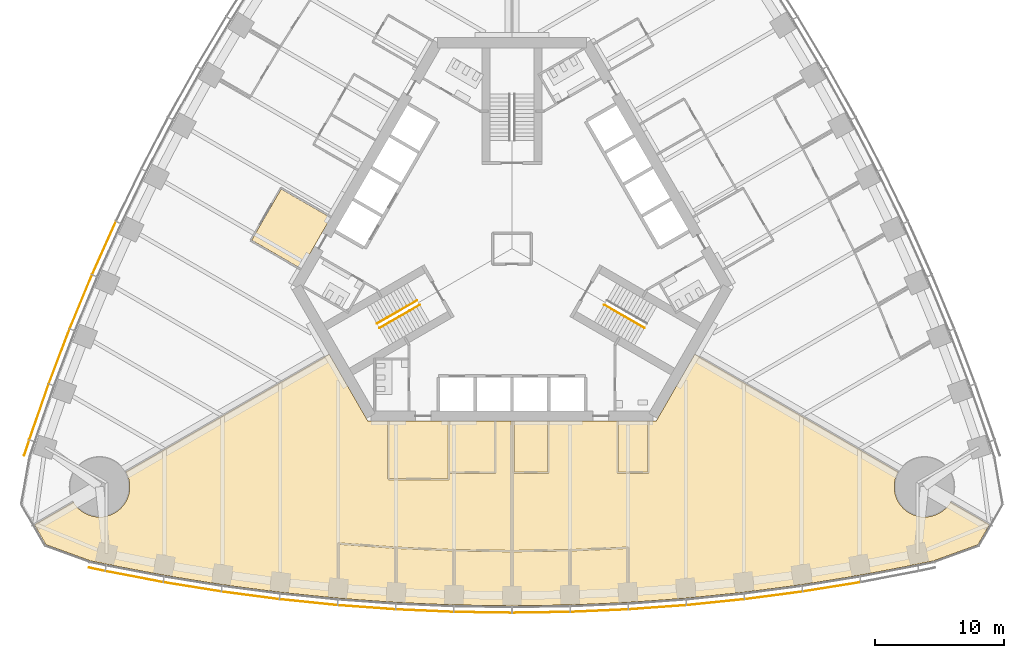
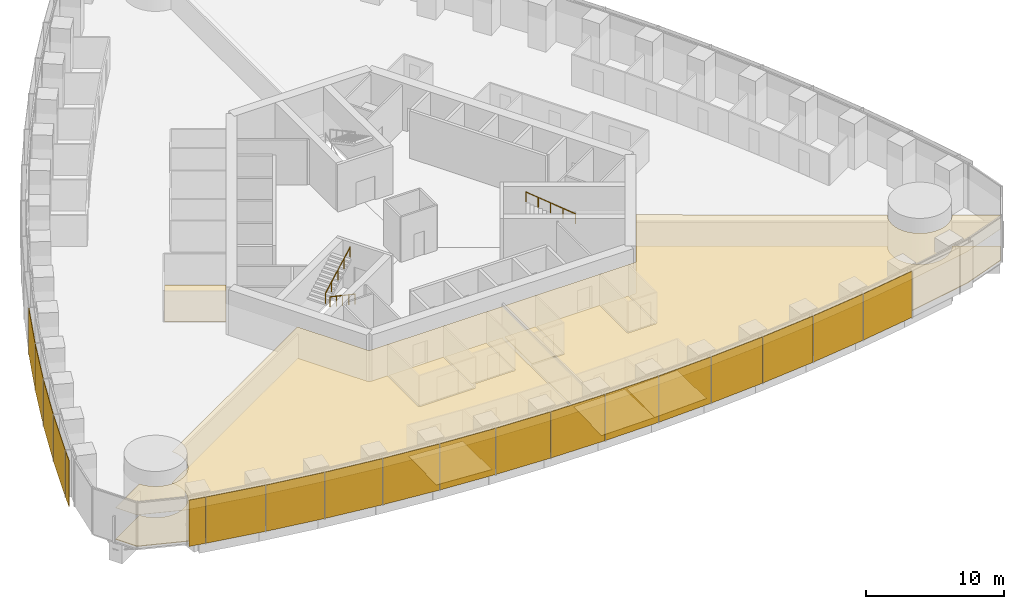
# One storey, part 14 of 18: 19 shading devices, 13 coverings, 3 railings.
"""IFC4 building model written with IfcOpenShell, lengths in metres."""

from ifc_helpers import new_model, si_unit, direction, frame, origin, origin_2d, place, context, subcontext, project, spatial, polyline, rectangle, circle, outline, extrude, material, layer, layer_set, type_object, element, save


model = new_model("IFC4")

# Units and contexts
model_context = context("Model", 3, precision=1e-05, world=origin(), true_north=direction((0.0, 1.0)))
body_context = subcontext(model_context, "Body", "Model", "MODEL_VIEW")
ifc_project = project(units=[si_unit("LENGTHUNIT", "METRE"), si_unit("AREAUNIT", "SQUARE_METRE"), si_unit("VOLUMEUNIT", "CUBIC_METRE"), si_unit("PLANEANGLEUNIT", "RADIAN"), si_unit("MASSUNIT", "GRAM", prefix="KILO")], contexts=[model_context])

# Site, building, storey
site_placement = place(None, origin())
site = spatial("IfcSite", under=ifc_project, at=site_placement, CompositionType="ELEMENT")
building_placement = place(site_placement, origin())
building = spatial("IfcBuilding", under=site, at=building_placement, Name="Trefoil Bronze Tower", CompositionType="ELEMENT")
storey_placement = place(building_placement, frame((0.0, 0.0, 29.10009765625)))
storey = spatial("IfcBuildingStorey", under=building, at=storey_placement, Name="L06", CompositionType="ELEMENT", Elevation=29.10009765625)

# Shading devices
ifc_material_1 = material(Name="Perforated bronze sheet", Category="bronze")
ifc_layer_1 = layer(ifc_material_1, 0.0400390625)
ifc_layer_set_1 = layer_set([ifc_layer_1], Name="Bronze solar screen panel")
shading_device_type = type_object("IfcShadingDeviceType", Name="Bronze solar screen panel", PredefinedType="SHUTTER", material=ifc_layer_set_1)
shading_device_1_placement = place(storey_placement, frame((-32.2431640625, -24.91064453125, 0.0498046875), z_axis=(0.0, 0.0, 1.0), x_axis=(0.978302717041, -0.207180582657, 0.0)))
element("IfcShadingDevice", 1, at=shading_device_1_placement, inside=storey, type_object=shading_device_type, Name="Solar screen CW-A L06 F1 bay 1", PredefinedType="SHUTTER", context=body_context, shape_type="SweptSolid", body=[
    extrude(rectangle(XDim=1.260498046875, YDim=0.0400390625, at=origin_2d()), origin(), (0.0, 0.0, 1.0), 4.10009765625),
])
shading_device_2_placement = place(storey_placement, frame((-29.351806640625, -25.478515625, 0.0498046875), z_axis=(0.0, 0.0, 1.0), x_axis=(0.982049823817, -0.188621694249, 0.0)))
element("IfcShadingDevice", 2, at=shading_device_2_placement, inside=storey, type_object=shading_device_type, Name="Solar screen CW-A L06 F1 bay 2", PredefinedType="SHUTTER", context=body_context, shape_type="SweptSolid", body=[
    extrude(rectangle(XDim=4.55224609375, YDim=0.0400390625, at=origin_2d()), origin(), (0.0, 0.0, 1.0), 4.10009765625),
])
shading_device_3_placement = place(storey_placement, frame((-24.836181640625, -26.277099609375, 0.0498046875), z_axis=(0.0, 0.0, 1.0), x_axis=(0.987181315145, -0.159602791421, 0.0)))
element("IfcShadingDevice", 3, at=shading_device_3_placement, inside=storey, type_object=shading_device_type, Name="Solar screen CW-A L06 F1 bay 3", PredefinedType="SHUTTER", context=body_context, shape_type="SweptSolid", body=[
    extrude(rectangle(XDim=4.5283203125, YDim=0.0400390625, at=origin_2d()), origin(), (0.0, 0.0, 1.0), 4.10009765625),
])
shading_device_4_placement = place(storey_placement, frame((-20.320556640625, -26.939697265625, 0.0498046875), z_axis=(0.0, 0.0, 1.0), x_axis=(0.991437251591, -0.130583981243, 0.0)))
element("IfcShadingDevice", 4, at=shading_device_4_placement, inside=storey, type_object=shading_device_type, Name="Solar screen CW-A L06 F1 bay 4", PredefinedType="SHUTTER", context=body_context, shape_type="SweptSolid", body=[
    extrude(rectangle(XDim=4.5087890625, YDim=0.0400390625, at=origin_2d()), origin(), (0.0, 0.0, 1.0), 4.10009765625),
])
shading_device_5_placement = place(storey_placement, frame((-15.804931640625, -27.467529296875, 0.0498046875), z_axis=(0.0, 0.0, 1.0), x_axis=(0.994828880293, -0.101565244717, 0.0)))
element("IfcShadingDevice", 5, at=shading_device_5_placement, inside=storey, type_object=shading_device_type, Name="Solar screen CW-A L06 F1 bay 5", PredefinedType="SHUTTER", context=body_context, shape_type="SweptSolid", body=[
    extrude(rectangle(XDim=4.493408203125, YDim=0.0400390625, at=origin_2d()), origin(), (0.0, 0.0, 1.0), 4.10009765625),
])
shading_device_6_placement = place(storey_placement, frame((-11.2890625, -27.8623046875, 0.0498046875), z_axis=(0.0, 0.0, 1.0), x_axis=(0.99736502647, -0.072546564177, 0.0)))
element("IfcShadingDevice", 6, at=shading_device_6_placement, inside=storey, type_object=shading_device_type, Name="Solar screen CW-A L06 F1 bay 6", PredefinedType="SHUTTER", context=body_context, shape_type="SweptSolid", body=[
    extrude(rectangle(XDim=4.48193359375, YDim=0.0400390625, at=origin_2d()), origin(), (0.0, 0.0, 1.0), 4.10009765625),
])
shading_device_7_placement = place(storey_placement, frame((-6.7734375, -28.124755859375, 0.0498046875), z_axis=(0.0, 0.0, 1.0), x_axis=(0.999052210809, -0.043527922969, 0.0)))
element("IfcShadingDevice", 7, at=shading_device_7_placement, inside=storey, type_object=shading_device_type, Name="Solar screen CW-A L06 F1 bay 7", PredefinedType="SHUTTER", context=body_context, shape_type="SweptSolid", body=[
    extrude(rectangle(XDim=4.474365234375, YDim=0.0400390625, at=origin_2d()), origin(), (0.0, 0.0, 1.0), 4.10009765625),
])
for number, where, z_axis, x_axis, name in (
    (8, (-2.2578125, -28.256103515625, 0.0498046875), (0.0, 0.0, 1.0), (0.999894734493, -0.014509305083, 0.0), "Solar screen CW-A L06 F1 bay 8"),
    (9, (2.2578125, -28.256103515625, 0.0498046875), (0.0, 0.0, 1.0), (0.999894734493, 0.014509305083, 0.0), "Solar screen CW-A L06 F1 bay 9"),
):
    element("IfcShadingDevice", number, at=place(storey_placement, frame(where, z_axis=z_axis, x_axis=x_axis)), inside=storey, type_object=shading_device_type, Name=name, PredefinedType="SHUTTER", context=body_context, shape_type="SweptSolid", body=[
        extrude(rectangle(XDim=4.470458984375, YDim=0.0400390625, at=origin_2d()), origin(), (0.0, 0.0, 1.0), 4.10009765625),
    ])
shading_device_8_placement = place(storey_placement, frame((6.7734375, -28.124755859375, 0.0498046875), z_axis=(0.0, 0.0, 1.0), x_axis=(0.999052210809, 0.043527922969, 0.0)))
element("IfcShadingDevice", 10, at=shading_device_8_placement, inside=storey, type_object=shading_device_type, Name="Solar screen CW-A L06 F1 bay 10", PredefinedType="SHUTTER", context=body_context, shape_type="SweptSolid", body=[
    extrude(rectangle(XDim=4.474365234375, YDim=0.0400390625, at=origin_2d()), origin(), (0.0, 0.0, 1.0), 4.10009765625),
])
shading_device_9_placement = place(storey_placement, frame((11.2890625, -27.8623046875, 0.0498046875), z_axis=(0.0, 0.0, 1.0), x_axis=(0.99736502647, 0.072546564177, 0.0)))
element("IfcShadingDevice", 11, at=shading_device_9_placement, inside=storey, type_object=shading_device_type, Name="Solar screen CW-A L06 F1 bay 11", PredefinedType="SHUTTER", context=body_context, shape_type="SweptSolid", body=[
    extrude(rectangle(XDim=4.48193359375, YDim=0.0400390625, at=origin_2d()), origin(), (0.0, 0.0, 1.0), 4.10009765625),
])
shading_device_10_placement = place(storey_placement, frame((15.804931640625, -27.467529296875, 0.0498046875), z_axis=(0.0, 0.0, 1.0), x_axis=(0.994828880293, 0.101565244717, 0.0)))
element("IfcShadingDevice", 12, at=shading_device_10_placement, inside=storey, type_object=shading_device_type, Name="Solar screen CW-A L06 F1 bay 12", PredefinedType="SHUTTER", context=body_context, shape_type="SweptSolid", body=[
    extrude(rectangle(XDim=4.493408203125, YDim=0.0400390625, at=origin_2d()), origin(), (0.0, 0.0, 1.0), 4.10009765625),
])
shading_device_11_placement = place(storey_placement, frame((20.320556640625, -26.939697265625, 0.0498046875), z_axis=(0.0, 0.0, 1.0), x_axis=(0.991437251591, 0.130583981243, 0.0)))
element("IfcShadingDevice", 13, at=shading_device_11_placement, inside=storey, type_object=shading_device_type, Name="Solar screen CW-A L06 F1 bay 13", PredefinedType="SHUTTER", context=body_context, shape_type="SweptSolid", body=[
    extrude(rectangle(XDim=4.5087890625, YDim=0.0400390625, at=origin_2d()), origin(), (0.0, 0.0, 1.0), 4.10009765625),
])
shading_device_12_placement = place(storey_placement, frame((24.836181640625, -26.277099609375, 0.0498046875), z_axis=(0.0, 0.0, 1.0), x_axis=(0.987181315145, 0.159602791421, 0.0)))
element("IfcShadingDevice", 14, at=shading_device_12_placement, inside=storey, type_object=shading_device_type, Name="Solar screen CW-A L06 F1 bay 14", PredefinedType="SHUTTER", context=body_context, shape_type="SweptSolid", body=[
    extrude(rectangle(XDim=4.5283203125, YDim=0.0400390625, at=origin_2d()), origin(), (0.0, 0.0, 1.0), 4.10009765625),
])
shading_device_13_placement = place(storey_placement, frame((-31.68994140625, 0.04638671875, 0.0498046875), z_axis=(0.0, 0.0, 1.0), x_axis=(-0.40945635808, -0.912329705111, 0.0)))
element("IfcShadingDevice", 15, at=shading_device_13_placement, inside=storey, type_object=shading_device_type, Name="Solar screen CW-A L06 F3 bay 12", PredefinedType="SHUTTER", context=body_context, shape_type="SweptSolid", body=[
    extrude(rectangle(XDim=4.493408203125, YDim=0.0400390625, at=origin_2d()), origin(), (0.0, 0.0, 1.0), 4.10009765625),
])
shading_device_14_placement = place(storey_placement, frame((-33.49072265625, -4.128173828125, 0.0498046875), z_axis=(0.0, 0.0, 1.0), x_axis=(-0.382629580712, -0.923901836758, 0.0)))
element("IfcShadingDevice", 16, at=shading_device_14_placement, inside=storey, type_object=shading_device_type, Name="Solar screen CW-A L06 F3 bay 13", PredefinedType="SHUTTER", context=body_context, shape_type="SweptSolid", body=[
    extrude(rectangle(XDim=4.5087890625, YDim=0.0400390625, at=origin_2d()), origin(), (0.0, 0.0, 1.0), 4.10009765625),
])
shading_device_15_placement = place(storey_placement, frame((-35.1748046875, -8.3701171875, 0.0498046875), z_axis=(0.0, 0.0, 1.0), x_axis=(-0.355370585687, -0.934725492767, 0.0)))
element("IfcShadingDevice", 17, at=shading_device_15_placement, inside=storey, type_object=shading_device_type, Name="Solar screen CW-A L06 F3 bay 14", PredefinedType="SHUTTER", context=body_context, shape_type="SweptSolid", body=[
    extrude(rectangle(XDim=4.5283203125, YDim=0.0400390625, at=origin_2d()), origin(), (0.0, 0.0, 1.0), 4.10009765625),
])
shading_device_16_placement = place(storey_placement, frame((-36.740966796875, -12.68017578125, 0.0498046875), z_axis=(0.0, 0.0, 1.0), x_axis=(-0.327673732984, -0.944790942332, 0.0)))
element("IfcShadingDevice", 18, at=shading_device_16_placement, inside=storey, type_object=shading_device_type, Name="Solar screen CW-A L06 F3 bay 15", PredefinedType="SHUTTER", context=body_context, shape_type="SweptSolid", body=[
    extrude(rectangle(XDim=4.55224609375, YDim=0.0400390625, at=origin_2d()), origin(), (0.0, 0.0, 1.0), 4.10009765625),
])
shading_device_17_placement = place(storey_placement, frame((-37.69482421875, -15.468017578125, 0.0498046875), z_axis=(0.0, 0.0, 1.0), x_axis=(-0.309727710769, -0.950825296877, 0.0)))
element("IfcShadingDevice", 19, at=shading_device_17_placement, inside=storey, type_object=shading_device_type, Name="Solar screen CW-A L06 F3 bay 16", PredefinedType="SHUTTER", context=body_context, shape_type="SweptSolid", body=[
    extrude(rectangle(XDim=1.260498046875, YDim=0.0400390625, at=origin_2d()), origin(), (0.0, 0.0, 1.0), 4.10009765625),
])

# Railings
ifc_material_2 = material(Name="Steel handrail", Category="steel")
railing_type = type_object("IfcRailingType", Name="Handrail 900", PredefinedType="HANDRAIL", material=ifc_material_2)
railing_1_placement = place(storey_placement, frame((10.28369140625, -6.168212890625, 2.261474609375)))
element("IfcRailing", 20, at=railing_1_placement, inside=storey, type_object=railing_type, Name="Handrail ST1 flight 2 L06", PredefinedType="HANDRAIL", context=body_context, shape_type="SweptSolid", body=[
    extrude(circle(Radius=0.02392578125, at=origin_2d()), frame((0.0, 0.0, 0.8759765625), z_axis=(-0.76250339821, 0.440245697338, 0.474101564745), x_axis=(-0.500012057535, -0.866018442252, 0.0)), (0.0, 0.0, 1.0), 4.088623046875),
    extrude(circle(Radius=0.02099609375, at=origin_2d()), origin(), (0.0, 0.0, 1.0), 0.851806640625),
    extrude(circle(Radius=0.02099609375, at=origin_2d()), frame((-0.779296875, 0.449951171875, 0.484619140625)), (0.0, 0.0, 1.0), 0.851806640625),
    extrude(circle(Radius=0.02099609375, at=origin_2d()), frame((-1.558837890625, 0.89990234375, 0.96923828125)), (0.0, 0.0, 1.0), 0.851806640625),
    extrude(circle(Radius=0.02099609375, at=origin_2d()), frame((-2.33837890625, 1.35009765625, 1.453857421875)), (0.0, 0.0, 1.0), 0.851806640625),
    extrude(circle(Radius=0.02099609375, at=origin_2d()), frame((-3.11767578125, 1.800048828125, 1.9384765625)), (0.0, 0.0, 1.0), 0.851806640625),
])
railing_2_placement = place(storey_placement, frame((-7.166015625, -4.3681640625, 0.161376953125)))
element("IfcRailing", 21, at=railing_2_placement, inside=storey, type_object=railing_type, Name="Handrail ST3 flight 1 L06", PredefinedType="HANDRAIL", context=body_context, shape_type="SweptSolid", body=[
    extrude(circle(Radius=0.02392578125, at=origin_2d()), frame((0.0, 0.0, 0.8759765625), z_axis=(-0.76250339821, -0.440245697338, 0.474101564745), x_axis=(0.500012057535, -0.866018442252, 0.0)), (0.0, 0.0, 1.0), 4.088623046875),
    extrude(circle(Radius=0.02099609375, at=origin_2d()), origin(), (0.0, 0.0, 1.0), 0.851806640625),
    extrude(circle(Radius=0.02099609375, at=origin_2d()), frame((-0.779296875, -0.449951171875, 0.484619140625)), (0.0, 0.0, 1.0), 0.851806640625),
    extrude(circle(Radius=0.02099609375, at=origin_2d()), frame((-1.558837890625, -0.89990234375, 0.96923828125)), (0.0, 0.0, 1.0), 0.851806640625),
    extrude(circle(Radius=0.02099609375, at=origin_2d()), frame((-2.33837890625, -1.35009765625, 1.453857421875)), (0.0, 0.0, 1.0), 0.851806640625),
    extrude(circle(Radius=0.02099609375, at=origin_2d()), frame((-3.11767578125, -1.800048828125, 1.9384765625)), (0.0, 0.0, 1.0), 0.851806640625),
])
railing_3_placement = place(storey_placement, frame((-10.483642578125, -5.82177734375, 2.261474609375)))
element("IfcRailing", 22, at=railing_3_placement, inside=storey, type_object=railing_type, Name="Handrail ST3 flight 2 L06", PredefinedType="HANDRAIL", context=body_context, shape_type="SweptSolid", body=[
    extrude(circle(Radius=0.02392578125, at=origin_2d()), frame((0.0, 0.0, 0.8759765625), z_axis=(0.76250339821, 0.440245697338, 0.474101564745), x_axis=(-0.500012057535, 0.866018442252, 0.0)), (0.0, 0.0, 1.0), 4.088623046875),
    extrude(circle(Radius=0.02099609375, at=origin_2d()), origin(), (0.0, 0.0, 1.0), 0.851806640625),
    extrude(circle(Radius=0.02099609375, at=origin_2d()), frame((0.779296875, 0.449951171875, 0.484619140625)), (0.0, 0.0, 1.0), 0.851806640625),
    extrude(circle(Radius=0.02099609375, at=origin_2d()), frame((1.558837890625, 0.89990234375, 0.96923828125)), (0.0, 0.0, 1.0), 0.851806640625),
    extrude(circle(Radius=0.02099609375, at=origin_2d()), frame((2.33837890625, 1.35009765625, 1.453857421875)), (0.0, 0.0, 1.0), 0.851806640625),
    extrude(circle(Radius=0.02099609375, at=origin_2d()), frame((3.11767578125, 1.800048828125, 1.9384765625)), (0.0, 0.0, 1.0), 0.851806640625),
])

# Coverings
ifc_material_3 = material(Name="Acoustic ceiling panels", Category="mineral fibre")
ifc_layer_2 = layer(ifc_material_3, 0.02001953125)
ifc_layer_set_2 = layer_set([ifc_layer_2], Name="Office ceiling 20")
covering_type_1 = type_object("IfcCoveringType", Name="Office ceiling 20", PredefinedType="CEILING", material=ifc_layer_set_2)
covering_1_placement = place(storey_placement, frame((0.0, 0.0, 2.89990234375)))
element("IfcCovering", 23, at=covering_1_placement, inside=storey, type_object=covering_type_1, Name="Ceiling L06 Open-plan office F1", PredefinedType="CEILING", context=body_context, shape_type="SweptSolid", body=[
    extrude(outline(polyline([(-33.996826171875, -19.8056640625), (-33.930419921875, -19.89990234375), (-33.859619140625, -19.99072265625), (-33.7841796875, -20.078125), (-33.70458984375, -20.16162109375), (-33.62109375, -20.2412109375), (-33.53369140625, -20.316650390625), (-33.44287109375, -20.387451171875), (-33.348388671875, -20.4541015625), (-33.251220703125, -20.515625), (-33.150634765625, -20.572509765625), (-33.047607421875, -20.62451171875), (-32.942138671875, -20.671142578125), (-32.834716796875, -20.712646484375), (-32.72509765625, -20.748779296875), (-32.614013671875, -20.779541015625), (-32.50146484375, -20.8046875), (-32.3876953125, -20.82470703125), (-32.273193359375, -20.838623046875), (-32.158203125, -20.84716796875), (-32.04296875, -20.85009765625), (-31.927490234375, -20.84716796875), (-31.8125, -20.838623046875), (-31.697998046875, -20.82470703125), (-31.58447265625, -20.8046875), (-31.471923828125, -20.779541015625), (-31.36083984375, -20.748779296875), (-31.251220703125, -20.712646484375), (-31.1435546875, -20.671142578125), (-31.0380859375, -20.62451171875), (-30.935302734375, -20.572509765625), (-30.834716796875, -20.515625), (-30.7373046875, -20.4541015625), (-30.64306640625, -20.387451171875), (-30.552001953125, -20.316650390625), (-30.46484375, -20.2412109375), (-30.381103515625, -20.16162109375), (-30.3017578125, -20.078125), (-30.226318359375, -19.99072265625), (-30.155517578125, -19.89990234375), (-30.089111328125, -19.8056640625), (-30.02734375, -19.7080078125), (-29.970458984375, -19.60791015625), (-29.918701171875, -19.5048828125), (-29.871826171875, -19.3994140625), (-29.830322265625, -19.291748046875), (-29.794189453125, -19.18212890625), (-29.763427734375, -19.071044921875), (-29.738037109375, -18.95849609375), (-29.718505859375, -18.8447265625), (-29.704345703125, -18.730224609375), (-29.69580078125, -18.615234375), (-29.69287109375, -18.5), (-29.69580078125, -18.384765625), (-29.704345703125, -18.269775390625), (-29.718505859375, -18.1552734375), (-29.738037109375, -18.04150390625), (-29.763427734375, -17.928955078125), (-29.794189453125, -17.81787109375), (-29.830322265625, -17.708251953125), (-29.871826171875, -17.6005859375), (-29.918701171875, -17.4951171875), (-29.970458984375, -17.39208984375), (-30.001953125, -17.336669921875), (-14.19970703125, -8.205322265625), (-11.20068359375, -13.39990234375), (11.20068359375, -13.39990234375), (14.19970703125, -8.205322265625), (30.001953125, -17.336669921875), (29.970458984375, -17.39208984375), (29.918701171875, -17.4951171875), (29.871826171875, -17.6005859375), (29.830322265625, -17.708251953125), (29.794189453125, -17.81787109375), (29.763427734375, -17.928955078125), (29.738037109375, -18.04150390625), (29.718505859375, -18.1552734375), (29.704345703125, -18.269775390625), (29.69580078125, -18.384765625), (29.69287109375, -18.5), (29.69580078125, -18.615234375), (29.704345703125, -18.730224609375), (29.718505859375, -18.8447265625), (29.738037109375, -18.95849609375), (29.763427734375, -19.071044921875), (29.794189453125, -19.18212890625), (29.830322265625, -19.291748046875), (29.871826171875, -19.3994140625), (29.918701171875, -19.5048828125), (29.970458984375, -19.60791015625), (30.02734375, -19.7080078125), (30.089111328125, -19.8056640625), (30.155517578125, -19.89990234375), (30.226318359375, -19.99072265625), (30.3017578125, -20.078125), (30.381103515625, -20.16162109375), (30.46484375, -20.2412109375), (30.552001953125, -20.316650390625), (30.64306640625, -20.387451171875), (30.7373046875, -20.4541015625), (30.834716796875, -20.515625), (30.935302734375, -20.572509765625), (31.0380859375, -20.62451171875), (31.1435546875, -20.671142578125), (31.251220703125, -20.712646484375), (31.36083984375, -20.748779296875), (31.471923828125, -20.779541015625), (31.58447265625, -20.8046875), (31.697998046875, -20.82470703125), (31.8125, -20.838623046875), (31.927490234375, -20.84716796875), (32.04296875, -20.85009765625), (32.158203125, -20.84716796875), (32.273193359375, -20.838623046875), (32.3876953125, -20.82470703125), (32.50146484375, -20.8046875), (32.614013671875, -20.779541015625), (32.72509765625, -20.748779296875), (32.834716796875, -20.712646484375), (32.942138671875, -20.671142578125), (33.047607421875, -20.62451171875), (33.150634765625, -20.572509765625), (33.251220703125, -20.515625), (33.348388671875, -20.4541015625), (33.44287109375, -20.387451171875), (33.53369140625, -20.316650390625), (33.62109375, -20.2412109375), (33.70458984375, -20.16162109375), (33.7841796875, -20.078125), (33.859619140625, -19.99072265625), (33.930419921875, -19.89990234375), (33.996826171875, -19.8056640625), (34.0703125, -19.6875), (37.094482421875, -21.43505859375), (36.190673828125, -23.0009765625), (32.762451171875, -24.248779296875), (31.5, -24.51611328125), (27.0, -25.38037109375), (22.5, -26.10791015625), (18.0, -26.70068359375), (13.5, -27.159912109375), (9.0, -27.4873046875), (4.5, -27.683349609375), (0.0, -27.748779296875), (-4.5, -27.683349609375), (-9.0, -27.4873046875), (-13.5, -27.159912109375), (-18.0, -26.70068359375), (-22.5, -26.10791015625), (-27.0, -25.38037109375), (-31.5, -24.51611328125), (-32.762451171875, -24.248779296875), (-36.190673828125, -23.0009765625), (-37.094482421875, -21.43505859375), (-34.0703125, -19.6875), (-33.996826171875, -19.8056640625)])), origin(), (0.0, 0.0, 1.0), 0.02001953125),
])
ifc_material_4 = material(Name="Raised access floor panels", Category="steel")
ifc_layer_3 = layer(ifc_material_4, 0.050048828125)
ifc_layer_set_3 = layer_set([ifc_layer_3], Name="Raised access floor 150")
covering_type_2 = type_object("IfcCoveringType", Name="Raised access floor 150", PredefinedType="FLOORING", material=ifc_layer_set_3)
covering_2_placement = place(storey_placement, frame((0.0, 0.0, 0.099853515625)))
element("IfcCovering", 24, at=covering_2_placement, inside=storey, type_object=covering_type_2, Name="Raised floor L06 Reception F1", PredefinedType="FLOORING", context=body_context, shape_type="SweptSolid", body=[
    extrude(outline(polyline([(-4.9599609375, -13.39990234375), (-4.9599609375, -17.840087890625), (-9.5400390625, -17.840087890625), (-9.5400390625, -13.39990234375), (-4.9599609375, -13.39990234375)])), origin(), (0.0, 0.0, 1.0), 0.050048828125),
])
covering_3_placement = place(storey_placement, frame((0.0, 0.0, 0.099853515625)))
element("IfcCovering", 25, at=covering_3_placement, inside=storey, type_object=covering_type_2, Name="Raised floor L06 Meeting room F1", PredefinedType="FLOORING", context=body_context, shape_type="SweptSolid", body=[
    extrude(outline(polyline([(-1.360107421875, -13.39990234375), (-1.360107421875, -17.340087890625), (-4.840087890625, -17.340087890625), (-4.840087890625, -13.39990234375), (-1.360107421875, -13.39990234375)])), origin(), (0.0, 0.0, 1.0), 0.050048828125),
])
covering_4_placement = place(storey_placement, frame((0.0, 0.0, 0.099853515625)))
element("IfcCovering", 26, at=covering_4_placement, inside=storey, type_object=covering_type_2, Name="Raised floor L06 Pantry F1", PredefinedType="FLOORING", context=body_context, shape_type="SweptSolid", body=[
    extrude(outline(polyline([(2.764892578125, -13.39990234375), (2.764892578125, -17.340087890625), (0.18505859375, -17.340087890625), (0.18505859375, -13.39990234375), (2.764892578125, -13.39990234375)])), origin(), (0.0, 0.0, 1.0), 0.050048828125),
])
covering_5_placement = place(storey_placement, frame((0.0, 0.0, 0.099853515625)))
element("IfcCovering", 27, at=covering_5_placement, inside=storey, type_object=covering_type_2, Name="Raised floor L06 Comms room F1", PredefinedType="FLOORING", context=body_context, shape_type="SweptSolid", body=[
    extrude(outline(polyline([(10.5400390625, -13.39990234375), (10.5400390625, -17.340087890625), (8.260009765625, -17.340087890625), (8.260009765625, -13.39990234375), (10.5400390625, -13.39990234375)])), origin(), (0.0, 0.0, 1.0), 0.050048828125),
])
covering_6_placement = place(storey_placement, frame((0.0, 0.0, 0.099853515625)))
element("IfcCovering", 28, at=covering_6_placement, inside=storey, type_object=covering_type_2, Name="Raised floor L06 Office F1", PredefinedType="FLOORING", context=body_context, shape_type="SweptSolid", body=[
    extrude(outline(polyline([(-9.0, -27.4873046875), (-13.5, -27.159912109375), (-13.5, -25.573974609375), (-13.43994140625, -25.573974609375), (-13.43994140625, -22.974609375), (-9.06005859375, -23.293212890625), (-9.06005859375, -25.90478515625), (-9.0, -25.90478515625), (-9.0, -27.4873046875)])), origin(), (0.0, 0.0, 1.0), 0.050048828125),
])
covering_7_placement = place(storey_placement, frame((0.0, 0.0, 0.099853515625)))
element("IfcCovering", 29, at=covering_7_placement, inside=storey, type_object=covering_type_2, Name="Raised floor L06 Office F1", PredefinedType="FLOORING", context=body_context, shape_type="SweptSolid", body=[
    extrude(outline(polyline([(-4.5, -27.683349609375), (-9.0, -27.4873046875), (-9.0, -25.90478515625), (-8.93994140625, -25.90478515625), (-8.93994140625, -23.300048828125), (-4.56005859375, -23.490966796875), (-4.56005859375, -26.102783203125), (-4.5, -26.102783203125), (-4.5, -27.683349609375)])), origin(), (0.0, 0.0, 1.0), 0.050048828125),
])
covering_8_placement = place(storey_placement, frame((0.0, 0.0, 0.099853515625)))
element("IfcCovering", 30, at=covering_8_placement, inside=storey, type_object=covering_type_2, Name="Raised floor L06 Office F1", PredefinedType="FLOORING", context=body_context, shape_type="SweptSolid", body=[
    extrude(outline(polyline([(0.0, -27.748779296875), (-4.5, -27.683349609375), (-4.5, -26.102783203125), (-4.43994140625, -26.102783203125), (-4.43994140625, -23.494384765625), (-0.074951171875, -23.5576171875), (-0.074951171875, -26.168701171875), (0.0, -26.168701171875), (0.0, -27.748779296875)])), origin(), (0.0, 0.0, 1.0), 0.050048828125),
])
covering_9_placement = place(storey_placement, frame((0.0, 0.0, 0.099853515625)))
element("IfcCovering", 31, at=covering_9_placement, inside=storey, type_object=covering_type_2, Name="Raised floor L06 Office F1", PredefinedType="FLOORING", context=body_context, shape_type="SweptSolid", body=[
    extrude(outline(polyline([(4.5, -27.683349609375), (0.0, -27.748779296875), (0.0, -26.168701171875), (0.074951171875, -26.168701171875), (0.074951171875, -23.5576171875), (4.43994140625, -23.494384765625), (4.43994140625, -26.102783203125), (4.5, -26.102783203125), (4.5, -27.683349609375)])), origin(), (0.0, 0.0, 1.0), 0.050048828125),
])
covering_10_placement = place(storey_placement, frame((0.0, 0.0, 0.099853515625)))
element("IfcCovering", 32, at=covering_10_placement, inside=storey, type_object=covering_type_2, Name="Raised floor L06 Meeting room F1", PredefinedType="FLOORING", context=body_context, shape_type="SweptSolid", body=[
    extrude(outline(polyline([(9.0, -27.4873046875), (4.5, -27.683349609375), (4.5, -26.102783203125), (4.56005859375, -26.102783203125), (4.56005859375, -23.490966796875), (8.93994140625, -23.300048828125), (8.93994140625, -25.90478515625), (9.0, -25.90478515625), (9.0, -27.4873046875)])), origin(), (0.0, 0.0, 1.0), 0.050048828125),
])
covering_11_placement = place(storey_placement, frame((0.0, 0.0, 0.099853515625)))
element("IfcCovering", 33, at=covering_11_placement, inside=storey, type_object=covering_type_2, Name="Raised floor L06 Open-plan office F1", PredefinedType="FLOORING", context=body_context, shape_type="SweptSolid", body=[
    extrude(outline(polyline([(9.0, -25.90478515625), (9.06005859375, -25.90478515625), (9.06005859375, -23.2373046875), (9.0, -23.2373046875), (8.997314453125, -23.177490234375), (4.498291015625, -23.373291015625), (0.074951171875, -23.4375), (0.074951171875, -17.39990234375), (0.125, -17.39990234375), (0.125, -17.4599609375), (2.824951171875, -17.4599609375), (2.824951171875, -17.39990234375), (2.885009765625, -17.39990234375), (2.885009765625, -13.39990234375), (8.139892578125, -13.39990234375), (8.139892578125, -17.39990234375), (8.199951171875, -17.39990234375), (8.199951171875, -17.4599609375), (10.60009765625, -17.4599609375), (10.60009765625, -17.39990234375), (10.659912109375, -17.39990234375), (10.659912109375, -13.39990234375), (11.20068359375, -13.39990234375), (14.19970703125, -8.205322265625), (30.001953125, -17.336669921875), (29.970458984375, -17.39208984375), (29.918701171875, -17.4951171875), (29.871826171875, -17.6005859375), (29.830322265625, -17.708251953125), (29.794189453125, -17.81787109375), (29.763427734375, -17.928955078125), (29.738037109375, -18.04150390625), (29.718505859375, -18.1552734375), (29.704345703125, -18.269775390625), (29.69580078125, -18.384765625), (29.69287109375, -18.5), (29.69580078125, -18.615234375), (29.704345703125, -18.730224609375), (29.718505859375, -18.8447265625), (29.738037109375, -18.95849609375), (29.763427734375, -19.071044921875), (29.794189453125, -19.18212890625), (29.830322265625, -19.291748046875), (29.871826171875, -19.3994140625), (29.918701171875, -19.5048828125), (29.970458984375, -19.60791015625), (30.02734375, -19.7080078125), (30.089111328125, -19.8056640625), (30.155517578125, -19.89990234375), (30.226318359375, -19.99072265625), (30.3017578125, -20.078125), (30.381103515625, -20.16162109375), (30.46484375, -20.2412109375), (30.552001953125, -20.316650390625), (30.64306640625, -20.387451171875), (30.7373046875, -20.4541015625), (30.834716796875, -20.515625), (30.935302734375, -20.572509765625), (31.0380859375, -20.62451171875), (31.1435546875, -20.671142578125), (31.251220703125, -20.712646484375), (31.36083984375, -20.748779296875), (31.471923828125, -20.779541015625), (31.58447265625, -20.8046875), (31.697998046875, -20.82470703125), (31.8125, -20.838623046875), (31.927490234375, -20.84716796875), (32.04296875, -20.85009765625), (32.158203125, -20.84716796875), (32.273193359375, -20.838623046875), (32.3876953125, -20.82470703125), (32.50146484375, -20.8046875), (32.614013671875, -20.779541015625), (32.72509765625, -20.748779296875), (32.834716796875, -20.712646484375), (32.942138671875, -20.671142578125), (33.047607421875, -20.62451171875), (33.150634765625, -20.572509765625), (33.251220703125, -20.515625), (33.348388671875, -20.4541015625), (33.44287109375, -20.387451171875), (33.53369140625, -20.316650390625), (33.62109375, -20.2412109375), (33.70458984375, -20.16162109375), (33.7841796875, -20.078125), (33.859619140625, -19.99072265625), (33.930419921875, -19.89990234375), (33.996826171875, -19.8056640625), (34.0703125, -19.6875), (37.094482421875, -21.43505859375), (36.190673828125, -23.0009765625), (32.762451171875, -24.248779296875), (31.5, -24.51611328125), (27.0, -25.38037109375), (22.5, -26.10791015625), (18.0, -26.70068359375), (13.5, -27.159912109375), (9.0, -27.4873046875), (9.0, -25.90478515625)])), origin(), (0.0, 0.0, 1.0), 0.050048828125),
])
covering_12_placement = place(storey_placement, frame((0.0, 0.0, 0.099853515625)))
element("IfcCovering", 34, at=covering_12_placement, inside=storey, type_object=covering_type_2, Name="Raised floor L06 Open-plan office F1", PredefinedType="FLOORING", context=body_context, shape_type="SweptSolid", body=[
    extrude(outline(polyline([(-30.001953125, -17.336669921875), (-14.19970703125, -8.205322265625), (-11.20068359375, -13.39990234375), (-9.659912109375, -13.39990234375), (-9.659912109375, -17.89990234375), (-9.60009765625, -17.89990234375), (-9.60009765625, -17.9599609375), (-4.89990234375, -17.9599609375), (-4.89990234375, -17.89990234375), (-4.840087890625, -17.89990234375), (-4.840087890625, -17.4599609375), (-1.300048828125, -17.4599609375), (-1.300048828125, -17.39990234375), (-1.239990234375, -17.39990234375), (-1.239990234375, -13.39990234375), (-0.0009765625, -13.39990234375), (-0.0009765625, -13.409912109375), (-0.074951171875, -13.409912109375), (-0.074951171875, -23.4375), (-4.498291015625, -23.373291015625), (-8.99658203125, -23.177490234375), (-13.49560546875, -22.85009765625), (-13.5, -22.909912109375), (-13.56005859375, -22.909912109375), (-13.56005859375, -25.573974609375), (-13.5, -25.573974609375), (-13.5, -27.159912109375), (-18.0, -26.70068359375), (-22.5, -26.10791015625), (-27.0, -25.38037109375), (-31.5, -24.51611328125), (-32.762451171875, -24.248779296875), (-36.190673828125, -23.0009765625), (-37.094482421875, -21.43505859375), (-34.0703125, -19.6875), (-33.996826171875, -19.8056640625), (-33.930419921875, -19.89990234375), (-33.859619140625, -19.99072265625), (-33.7841796875, -20.078125), (-33.70458984375, -20.16162109375), (-33.62109375, -20.2412109375), (-33.53369140625, -20.316650390625), (-33.44287109375, -20.387451171875), (-33.348388671875, -20.4541015625), (-33.251220703125, -20.515625), (-33.150634765625, -20.572509765625), (-33.047607421875, -20.62451171875), (-32.942138671875, -20.671142578125), (-32.834716796875, -20.712646484375), (-32.72509765625, -20.748779296875), (-32.614013671875, -20.779541015625), (-32.50146484375, -20.8046875), (-32.3876953125, -20.82470703125), (-32.273193359375, -20.838623046875), (-32.158203125, -20.84716796875), (-32.04296875, -20.85009765625), (-31.927490234375, -20.84716796875), (-31.8125, -20.838623046875), (-31.697998046875, -20.82470703125), (-31.58447265625, -20.8046875), (-31.471923828125, -20.779541015625), (-31.36083984375, -20.748779296875), (-31.251220703125, -20.712646484375), (-31.1435546875, -20.671142578125), (-31.0380859375, -20.62451171875), (-30.935302734375, -20.572509765625), (-30.834716796875, -20.515625), (-30.7373046875, -20.4541015625), (-30.64306640625, -20.387451171875), (-30.552001953125, -20.316650390625), (-30.46484375, -20.2412109375), (-30.381103515625, -20.16162109375), (-30.3017578125, -20.078125), (-30.226318359375, -19.99072265625), (-30.155517578125, -19.89990234375), (-30.089111328125, -19.8056640625), (-30.02734375, -19.7080078125), (-29.970458984375, -19.60791015625), (-29.918701171875, -19.5048828125), (-29.871826171875, -19.3994140625), (-29.830322265625, -19.291748046875), (-29.794189453125, -19.18212890625), (-29.763427734375, -19.071044921875), (-29.738037109375, -18.95849609375), (-29.718505859375, -18.8447265625), (-29.704345703125, -18.730224609375), (-29.69580078125, -18.615234375), (-29.69287109375, -18.5), (-29.69580078125, -18.384765625), (-29.704345703125, -18.269775390625), (-29.718505859375, -18.1552734375), (-29.738037109375, -18.04150390625), (-29.763427734375, -17.928955078125), (-29.794189453125, -17.81787109375), (-29.830322265625, -17.708251953125), (-29.871826171875, -17.6005859375), (-29.918701171875, -17.4951171875), (-29.970458984375, -17.39208984375), (-30.001953125, -17.336669921875)])), origin(), (0.0, 0.0, 1.0), 0.050048828125),
])
covering_13_placement = place(storey_placement, frame((0.0, 0.0, 0.099853515625)))
element("IfcCovering", 35, at=covering_13_placement, inside=storey, type_object=covering_type_2, Name="Raised floor L06 Reception F3", PredefinedType="FLOORING", context=body_context, shape_type="SweptSolid", body=[
    extrude(outline(polyline([(-16.374755859375, -1.56201171875), (-20.219970703125, 0.658203125), (-17.929931640625, 4.62451171875), (-14.084716796875, 2.404541015625), (-16.374755859375, -1.56201171875)])), origin(), (0.0, 0.0, 1.0), 0.050048828125),
])

save(model, "model.ifc")
